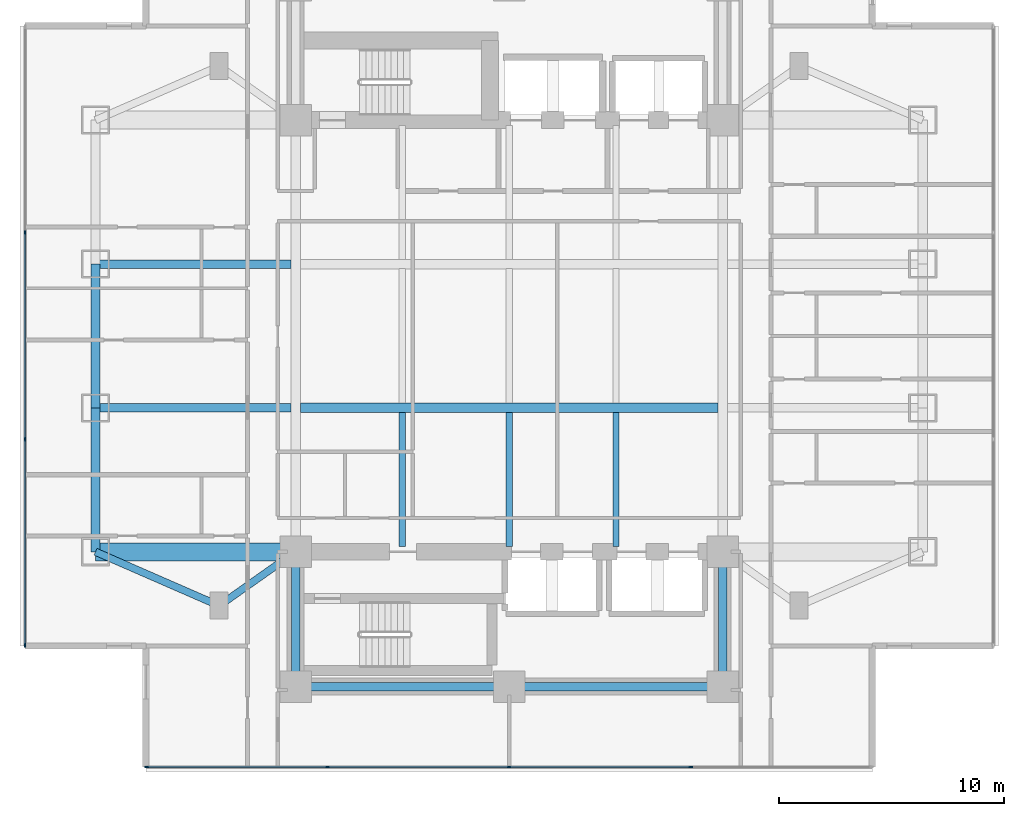
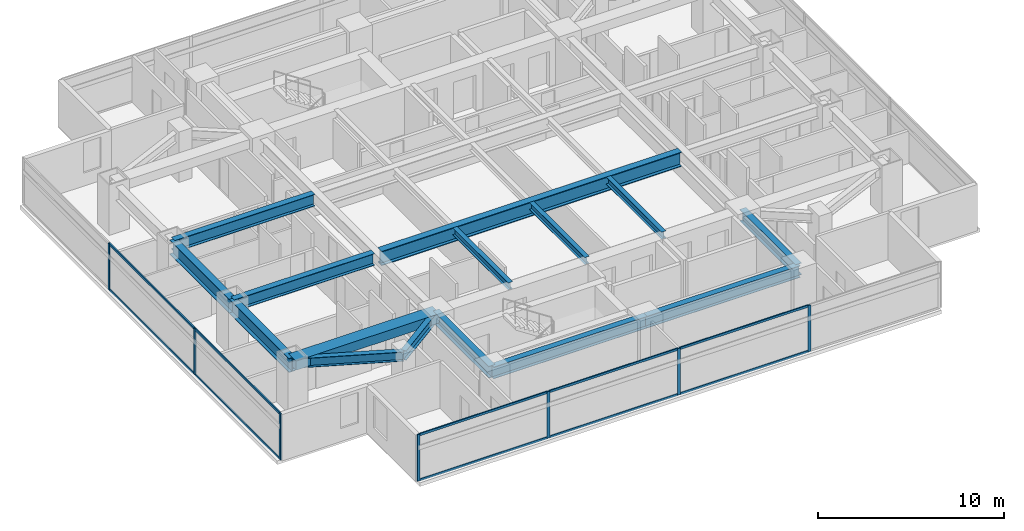
# One storey, part 2 of 23: 17 members, 15 beams, 2 elements without a shape of their own.
"""IFC4 building model written with IfcOpenShell, lengths in metres."""

from ifc_helpers import new_model, si_unit, direction, frame, origin, origin_2d, place, context, subcontext, project, spatial, rectangle, i_section, extrude, material, material_profile, profile_set, type_object, element, aggregate, save


model = new_model("IFC4")

# Units and contexts
model_context = context("Model", 3, precision=1e-05, world=origin(), true_north=direction((0.0, 1.0)))
body_context = subcontext(model_context, "Body", "Model", "MODEL_VIEW")
ifc_project = project(units=[si_unit("LENGTHUNIT", "METRE"), si_unit("AREAUNIT", "SQUARE_METRE"), si_unit("VOLUMEUNIT", "CUBIC_METRE"), si_unit("PLANEANGLEUNIT", "RADIAN"), si_unit("MASSUNIT", "GRAM", prefix="KILO")], contexts=[model_context])

# Site, building, storey
site_placement = place(None, origin())
site = spatial("IfcSite", under=ifc_project, at=site_placement, CompositionType="ELEMENT")
building_placement = place(site_placement, origin())
building = spatial("IfcBuilding", under=site, at=building_placement, Name="Mirazonda Arch Towers", CompositionType="ELEMENT")
storey_placement = place(building_placement, frame((0.0, 0.0, 29.0)))
storey = spatial("IfcBuildingStorey", under=building, at=storey_placement, Name="L07", CompositionType="ELEMENT", Elevation=29.0)

# Beams
ifc_material_1 = material(Name="Steel ASTM A992 Grade 50", Category="steel")
ifc_material_profile_1 = material_profile(ifc_material_1, i_section(OverallWidth=0.41796875, OverallDepth=0.927001953125, WebThickness=0.019287109375, FlangeThickness=0.031982421875, at=origin_2d()), Name="W36X231")
ifc_profile_set_1 = profile_set([ifc_material_profile_1], Name="Steel ASTM A992 Grade 50")
beam_type_1 = type_object("IfcBeamType", Name="BM-EXT-W36X231", PredefinedType="USERDEFINED", material=ifc_profile_set_1)
beam_1_placement = place(storey_placement, frame((2.10009765625, 18.39990234375, 2.596435546875), z_axis=(0.0, 1.0, 0.0), x_axis=(-1.0, 0.0, 0.0)))
element("IfcBeam", 1, at=beam_1_placement, inside=storey, type_object=beam_type_1, Name="L07 Floor Beam BM-T1-L07-NS-W-18", ObjectType="GIRDER", PredefinedType="USERDEFINED", context=body_context, shape_type="SweptSolid", body=[
    extrude(i_section(OverallWidth=0.41796875, OverallDepth=0.927001953125, WebThickness=0.019287109375, FlangeThickness=0.031982421875, at=origin_2d()), origin(), (0.0, 0.0, 1.0), 6.400146484375),
])
beam_2_placement = place(storey_placement, frame((2.10009765625, 24.800048828125, 2.596435546875), z_axis=(0.0, 1.0, 0.0), x_axis=(-1.0, 0.0, 0.0)))
element("IfcBeam", 2, at=beam_2_placement, inside=storey, type_object=beam_type_1, Name="L07 Floor Beam BM-T1-L07-NS-W-24", ObjectType="GIRDER", PredefinedType="USERDEFINED", context=body_context, shape_type="SweptSolid", body=[
    extrude(i_section(OverallWidth=0.41796875, OverallDepth=0.927001953125, WebThickness=0.019287109375, FlangeThickness=0.031982421875, at=origin_2d()), origin(), (0.0, 0.0, 1.0), 6.39990234375),
])
ifc_material_profile_2 = material_profile(ifc_material_1, i_section(OverallWidth=0.280029296875, OverallDepth=0.462890625, WebThickness=0.0107421875, FlangeThickness=0.017333984375, at=origin_2d()), Name="W18X76")
ifc_profile_set_2 = profile_set([ifc_material_profile_2], Name="Steel ASTM A992 Grade 50")
beam_type_2 = type_object("IfcBeamType", Name="BM-INT-W18X76", PredefinedType="JOIST", material=ifc_profile_set_2)
for number, where, z_axis, x_axis, name in (
    (3, (15.75, 18.639892578125, 2.82861328125), (0.0, 1.0, 0.0), (-1.0, 0.0, 0.0), "L07 Floor Beam BM-T1-L07-J-157-18"),
    (4, (20.5, 18.639892578125, 2.82861328125), (0.0, 1.0, 0.0), (-1.0, 0.0, 0.0), "L07 Floor Beam BM-T1-L07-J-205-18"),
    (5, (25.25, 18.639892578125, 2.82861328125), (0.0, 1.0, 0.0), (-1.0, 0.0, 0.0), "L07 Floor Beam BM-T1-L07-J-252-18"),
):
    element("IfcBeam", number, at=place(storey_placement, frame(where, z_axis=z_axis, x_axis=x_axis)), inside=storey, type_object=beam_type_2, Name=name, PredefinedType="JOIST", context=body_context, shape_type="SweptSolid", body=[
        extrude(i_section(OverallWidth=0.280029296875, OverallDepth=0.462890625, WebThickness=0.0107421875, FlangeThickness=0.017333984375, at=origin_2d()), origin(), (0.0, 0.0, 1.0), 5.95263671875),
    ])
ifc_material_profile_3 = material_profile(ifc_material_1, i_section(OverallWidth=0.324951171875, OverallDepth=0.615966796875, WebThickness=0.013916015625, FlangeThickness=0.021484375, at=origin_2d()), Name="W24X117")
ifc_profile_set_3 = profile_set([ifc_material_profile_3], Name="Steel ASTM A992 Grade 50")
beam_type_3 = type_object("IfcBeamType", Name="BM-INT-W24X117", PredefinedType="BEAM", material=ifc_profile_set_3)
beam_3_placement = place(storey_placement, frame((7.60009765625, 16.0, 2.751953125), z_axis=(0.816971114901, 0.576678591087, 0.0), x_axis=(-0.576678591087, 0.816971114901, 0.0)))
element("IfcBeam", 6, at=beam_3_placement, inside=storey, type_object=beam_type_3, Name="L07 Floor Beam BM-T1-L07-PL-SW1", PredefinedType="BEAM", context=body_context, shape_type="SweptSolid", body=[
    extrude(i_section(OverallWidth=0.324951171875, OverallDepth=0.615966796875, WebThickness=0.013916015625, FlangeThickness=0.021484375, at=origin_2d()), origin(), (0.0, 0.0, 1.0), 4.16162109375),
])
beam_4_placement = place(storey_placement, frame((7.60009765625, 16.0, 2.751953125), z_axis=(-0.916545343703, 0.399930785183, 0.0), x_axis=(-0.399930785183, -0.916545343703, 0.0)))
element("IfcBeam", 7, at=beam_4_placement, inside=storey, type_object=beam_type_3, Name="L07 Floor Beam BM-T1-L07-PL-SW2", PredefinedType="BEAM", context=body_context, shape_type="SweptSolid", body=[
    extrude(i_section(OverallWidth=0.324951171875, OverallDepth=0.615966796875, WebThickness=0.013916015625, FlangeThickness=0.021484375, at=origin_2d()), origin(), (0.0, 0.0, 1.0), 6.000732421875),
])
ifc_material_profile_4 = material_profile(ifc_material_1, i_section(OverallWidth=0.381103515625, OverallDepth=0.77294921875, WebThickness=0.0166015625, FlangeThickness=0.027099609375, at=origin_2d()), Name="W30X173")
ifc_profile_set_4 = profile_set([ifc_material_profile_4], Name="Steel ASTM A992 Grade 50")
beam_type_4 = type_object("IfcBeamType", Name="BM-INT-W30X173", PredefinedType="USERDEFINED", material=ifc_profile_set_4)
for number, where, z_axis, x_axis, name in (
    (8, (2.10009765625, 24.800048828125, 2.673583984375), (1.0, 0.0, 0.0), (0.0, 1.0, 0.0), "L07 Floor Beam BM-T1-L07-GW2"),
    (9, (2.10009765625, 31.199951171875, 2.673583984375), (1.0, 0.0, 0.0), (0.0, 1.0, 0.0), "L07 Floor Beam BM-T1-L07-GW3"),
):
    element("IfcBeam", number, at=place(storey_placement, frame(where, z_axis=z_axis, x_axis=x_axis)), inside=storey, type_object=beam_type_4, Name=name, ObjectType="GIRDER", PredefinedType="USERDEFINED", context=body_context, shape_type="SweptSolid", body=[
        extrude(i_section(OverallWidth=0.381103515625, OverallDepth=0.77294921875, WebThickness=0.0166015625, FlangeThickness=0.027099609375, at=origin_2d()), origin(), (0.0, 0.0, 1.0), 8.6884765625),
    ])
for number, where, z_axis, x_axis, name in (
    (10, (11.0, 12.39990234375, 2.673583984375), (1.0, 0.0, 0.0), (0.0, 1.0, 0.0), "L07 Floor Beam BM-T1-L07-CS1"),
    (11, (20.5, 12.39990234375, 2.673583984375), (1.0, 0.0, 0.0), (0.0, 1.0, 0.0), "L07 Floor Beam BM-T1-L07-CS2"),
):
    element("IfcBeam", number, at=place(storey_placement, frame(where, z_axis=z_axis, x_axis=x_axis)), inside=storey, type_object=beam_type_4, Name=name, ObjectType="GIRDER", PredefinedType="USERDEFINED", context=body_context, shape_type="SweptSolid", body=[
        extrude(i_section(OverallWidth=0.381103515625, OverallDepth=0.77294921875, WebThickness=0.0166015625, FlangeThickness=0.027099609375, at=origin_2d()), origin(), (0.0, 0.0, 1.0), 9.5),
    ])
for number, where, z_axis, x_axis, name in (
    (12, (11.0, 12.39990234375, 2.673583984375), (0.0, 1.0, 0.0), (-1.0, 0.0, 0.0), "L07 Floor Beam BM-T1-L07-CSW"),
    (13, (30.0, 12.39990234375, 2.673583984375), (0.0, 1.0, 0.0), (-1.0, 0.0, 0.0), "L07 Floor Beam BM-T1-L07-CSE"),
):
    element("IfcBeam", number, at=place(storey_placement, frame(where, z_axis=z_axis, x_axis=x_axis)), inside=storey, type_object=beam_type_4, Name=name, ObjectType="GIRDER", PredefinedType="USERDEFINED", context=body_context, shape_type="SweptSolid", body=[
        extrude(i_section(OverallWidth=0.381103515625, OverallDepth=0.77294921875, WebThickness=0.0166015625, FlangeThickness=0.027099609375, at=origin_2d()), origin(), (0.0, 0.0, 1.0), 6.0),
    ])
ifc_material_profile_5 = material_profile(ifc_material_1, i_section(OverallWidth=0.423095703125, OverallDepth=0.947998046875, WebThickness=0.02392578125, FlangeThickness=0.042724609375, at=origin_2d()), Name="W36X302")
ifc_profile_set_5 = profile_set([ifc_material_profile_5], Name="Steel ASTM A992 Grade 50")
beam_type_5 = type_object("IfcBeamType", Name="BM-INT-W36X302", PredefinedType="USERDEFINED", material=ifc_profile_set_5)
beam_5_placement = place(storey_placement, frame((11.21142578125, 24.800048828125, 2.5859375), z_axis=(1.0, 0.0, 0.0), x_axis=(0.0, 1.0, 0.0)))
element("IfcBeam", 14, at=beam_5_placement, inside=storey, type_object=beam_type_5, Name="L07 Floor Beam BM-T1-L07-GC2", ObjectType="GIRDER", PredefinedType="USERDEFINED", context=body_context, shape_type="SweptSolid", body=[
    extrude(i_section(OverallWidth=0.423095703125, OverallDepth=0.947998046875, WebThickness=0.02392578125, FlangeThickness=0.042724609375, at=origin_2d()), origin(), (0.0, 0.0, 1.0), 18.5771484375),
])
ifc_material_2 = material(Name="Concrete C60/75", Category="concrete")
ifc_material_profile_6 = material_profile(ifc_material_2, rectangle(XDim=0.800048828125, YDim=0.60009765625, at=origin_2d()), Name="RCCB800x600")
ifc_profile_set_6 = profile_set([ifc_material_profile_6], Name="Concrete C60/75")
beam_type_6 = type_object("IfcBeamType", Name="CB-INT-RCCB800x600", PredefinedType="SPANDREL", material=ifc_profile_set_6)
beam_6_placement = place(storey_placement, frame((2.10009765625, 18.39990234375, 2.760009765625), z_axis=(1.0, 0.0, 0.0), x_axis=(0.0, 1.0, 0.0)))
element("IfcBeam", 15, at=beam_6_placement, inside=storey, type_object=beam_type_6, Name="L07 Floor Beam CBC-T1-L07-SW", PredefinedType="SPANDREL", context=body_context, shape_type="SweptSolid", body=[
    extrude(rectangle(XDim=0.800048828125, YDim=0.60009765625, at=origin_2d()), origin(), (0.0, 0.0, 1.0), 8.89990234375),
])

# Curtain wall, members
ifc_material_3 = material(Name="Anodised Aluminium and Low-E Glass", Category="aluminium")
curtain_wall_type = type_object("IfcCurtainWallType", Name="CW-HTL-UNIT", PredefinedType="NOTDEFINED", material=ifc_material_3)
curtain_wall_1_placement = place(storey_placement, origin())
curtain_wall_1 = element("IfcCurtainWall", 16, at=curtain_wall_1_placement, inside=storey, type_object=curtain_wall_type, Name="L07 T1 S Facade CW-L07-T1-S", PredefinedType="NOTDEFINED")
ifc_material_4 = material(Name="Anodised Aluminium Alloy", Category="aluminium")
ifc_material_profile_7 = material_profile(ifc_material_4, rectangle(XDim=0.074951171875, YDim=0.1650390625, at=origin_2d()), Name="ALU-MULL-75x165")
ifc_profile_set_7 = profile_set([ifc_material_profile_7], Name="Anodised Aluminium Alloy")
member_type_1 = type_object("IfcMemberType", Name="MULL-CW-HTL-UNIT", PredefinedType="MULLION", material=ifc_profile_set_7)
member_1_placement = place(storey_placement, frame((28.580078125, 8.823974609375, 0.0), z_axis=(0.0, 0.0, 1.0), x_axis=(0.0, -1.0, 0.0)))
member_1 = element("IfcMember", 17, at=member_1_placement, type_object=member_type_1, Name="CW-112 mullion 2", PredefinedType="MULLION", context=body_context, shape_type="SweptSolid", body=[
    extrude(rectangle(XDim=0.074951171875, YDim=0.1650390625, at=origin_2d()), origin(), (0.0, 0.0, 1.0), 3.0400390625),
])
member_2_placement = place(storey_placement, frame((20.5, 8.823974609375, 0.0), z_axis=(0.0, 0.0, 1.0), x_axis=(0.0, -1.0, 0.0)))
member_2 = element("IfcMember", 18, at=member_2_placement, type_object=member_type_1, Name="CW-112 mullion 3", PredefinedType="MULLION", context=body_context, shape_type="SweptSolid", body=[
    extrude(rectangle(XDim=0.074951171875, YDim=0.1650390625, at=origin_2d()), origin(), (0.0, 0.0, 1.0), 3.0400390625),
])
member_3_placement = place(storey_placement, frame((12.419921875, 8.823974609375, 0.0), z_axis=(0.0, 0.0, 1.0), x_axis=(0.0, -1.0, 0.0)))
member_3 = element("IfcMember", 19, at=member_3_placement, type_object=member_type_1, Name="CW-112 mullion 4", PredefinedType="MULLION", context=body_context, shape_type="SweptSolid", body=[
    extrude(rectangle(XDim=0.074951171875, YDim=0.1650390625, at=origin_2d()), origin(), (0.0, 0.0, 1.0), 3.0400390625),
])
member_4_placement = place(storey_placement, frame((4.37744140625, 8.823974609375, 0.0), z_axis=(0.0, 0.0, 1.0), x_axis=(0.0, -1.0, 0.0)))
member_4 = element("IfcMember", 20, at=member_4_placement, type_object=member_type_1, Name="CW-112 mullion 5", PredefinedType="MULLION", context=body_context, shape_type="SweptSolid", body=[
    extrude(rectangle(XDim=0.074951171875, YDim=0.1650390625, at=origin_2d()), origin(), (0.0, 0.0, 1.0), 3.0400390625),
])

curtain_wall_2_placement = place(storey_placement, origin())
curtain_wall_2 = element("IfcCurtainWall", 21, at=curtain_wall_2_placement, inside=storey, type_object=curtain_wall_type, Name="L07 T1 W Facade CW-L07-T1-W", PredefinedType="NOTDEFINED")
member_5_placement = place(storey_placement, frame((-1.0400390625, 32.5986328125, 0.0), z_axis=(0.0, 0.0, 1.0), x_axis=(1.0, 0.0, 0.0)))
member_5 = element("IfcMember", 22, at=member_5_placement, type_object=member_type_1, Name="CW-112 mullion 2", PredefinedType="MULLION", context=body_context, shape_type="SweptSolid", body=[
    extrude(rectangle(XDim=0.074951171875, YDim=0.1650390625, at=origin_2d()), origin(), (0.0, 0.0, 1.0), 3.0400390625),
])
member_6_placement = place(storey_placement, frame((-1.0400390625, 23.4013671875, 0.0), z_axis=(0.0, 0.0, 1.0), x_axis=(1.0, 0.0, 0.0)))
member_6 = element("IfcMember", 23, at=member_6_placement, type_object=member_type_1, Name="CW-112 mullion 3", PredefinedType="MULLION", context=body_context, shape_type="SweptSolid", body=[
    extrude(rectangle(XDim=0.074951171875, YDim=0.1650390625, at=origin_2d()), origin(), (0.0, 0.0, 1.0), 3.0400390625),
])
member_7_placement = place(storey_placement, frame((-1.0400390625, 14.241455078125, 0.0), z_axis=(0.0, 0.0, 1.0), x_axis=(1.0, 0.0, 0.0)))
member_7 = element("IfcMember", 24, at=member_7_placement, type_object=member_type_1, Name="CW-112 mullion 4", PredefinedType="MULLION", context=body_context, shape_type="SweptSolid", body=[
    extrude(rectangle(XDim=0.074951171875, YDim=0.1650390625, at=origin_2d()), origin(), (0.0, 0.0, 1.0), 3.0400390625),
])

# Member
ifc_material_profile_8 = material_profile(ifc_material_4, rectangle(XDim=0.074951171875, YDim=0.14501953125, at=origin_2d()), Name="ALU-TRAN-75x145")
ifc_profile_set_8 = profile_set([ifc_material_profile_8], Name="Anodised Aluminium Alloy")
member_type_2 = type_object("IfcMemberType", Name="TRAN-CW-HTL-UNIT", PredefinedType="USERDEFINED", material=ifc_profile_set_8)
member_8_placement = place(storey_placement, frame((28.54248046875, 8.823974609375, 0.03759765625), z_axis=(-1.0, 0.0, 0.0), x_axis=(0.0, -1.0, 0.0)))
member_8 = element("IfcMember", 25, at=member_8_placement, type_object=member_type_2, Name="CW-112 transom 2.1", ObjectType="TRANSOM", PredefinedType="USERDEFINED", context=body_context, shape_type="SweptSolid", body=[
    extrude(rectangle(XDim=0.074951171875, YDim=0.14501953125, at=origin_2d()), origin(), (0.0, 0.0, 1.0), 8.0048828125),
])

member_9_placement = place(storey_placement, frame((28.54248046875, 8.823974609375, 3.00244140625), z_axis=(-1.0, 0.0, 0.0), x_axis=(0.0, -1.0, 0.0)))
member_9 = element("IfcMember", 26, at=member_9_placement, type_object=member_type_2, Name="CW-112 transom 2.2", ObjectType="TRANSOM", PredefinedType="USERDEFINED", context=body_context, shape_type="SweptSolid", body=[
    extrude(rectangle(XDim=0.074951171875, YDim=0.14501953125, at=origin_2d()), origin(), (0.0, 0.0, 1.0), 8.0048828125),
])

member_10_placement = place(storey_placement, frame((20.46240234375, 8.823974609375, 0.03759765625), z_axis=(-1.0, 0.0, 0.0), x_axis=(0.0, -1.0, 0.0)))
member_10 = element("IfcMember", 27, at=member_10_placement, type_object=member_type_2, Name="CW-112 transom 3.1", ObjectType="TRANSOM", PredefinedType="USERDEFINED", context=body_context, shape_type="SweptSolid", body=[
    extrude(rectangle(XDim=0.074951171875, YDim=0.14501953125, at=origin_2d()), origin(), (0.0, 0.0, 1.0), 8.0048828125),
])

member_11_placement = place(storey_placement, frame((20.46240234375, 8.823974609375, 3.00244140625), z_axis=(-1.0, 0.0, 0.0), x_axis=(0.0, -1.0, 0.0)))
member_11 = element("IfcMember", 28, at=member_11_placement, type_object=member_type_2, Name="CW-112 transom 3.2", ObjectType="TRANSOM", PredefinedType="USERDEFINED", context=body_context, shape_type="SweptSolid", body=[
    extrude(rectangle(XDim=0.074951171875, YDim=0.14501953125, at=origin_2d()), origin(), (0.0, 0.0, 1.0), 8.0048828125),
])

member_12_placement = place(storey_placement, frame((12.382568359375, 8.823974609375, 0.03759765625), z_axis=(-1.0, 0.0, 0.0), x_axis=(0.0, -1.0, 0.0)))
member_12 = element("IfcMember", 29, at=member_12_placement, type_object=member_type_2, Name="CW-112 transom 4.1", ObjectType="TRANSOM", PredefinedType="USERDEFINED", context=body_context, shape_type="SweptSolid", body=[
    extrude(rectangle(XDim=0.074951171875, YDim=0.14501953125, at=origin_2d()), origin(), (0.0, 0.0, 1.0), 7.967529296875),
])

member_13_placement = place(storey_placement, frame((12.382568359375, 8.823974609375, 3.00244140625), z_axis=(-1.0, 0.0, 0.0), x_axis=(0.0, -1.0, 0.0)))
member_13 = element("IfcMember", 30, at=member_13_placement, type_object=member_type_2, Name="CW-112 transom 4.2", ObjectType="TRANSOM", PredefinedType="USERDEFINED", context=body_context, shape_type="SweptSolid", body=[
    extrude(rectangle(XDim=0.074951171875, YDim=0.14501953125, at=origin_2d()), origin(), (0.0, 0.0, 1.0), 7.967529296875),
])

aggregate(curtain_wall_1, [member_1, member_2, member_3, member_4, member_8, member_9, member_10, member_11, member_12, member_13])

member_14_placement = place(storey_placement, frame((-1.0400390625, 32.561279296875, 0.03759765625), z_axis=(0.0, -1.0, 0.0), x_axis=(1.0, 0.0, 0.0)))
member_14 = element("IfcMember", 31, at=member_14_placement, type_object=member_type_2, Name="CW-112 transom 2.1", ObjectType="TRANSOM", PredefinedType="USERDEFINED", context=body_context, shape_type="SweptSolid", body=[
    extrude(rectangle(XDim=0.074951171875, YDim=0.14501953125, at=origin_2d()), origin(), (0.0, 0.0, 1.0), 9.12255859375),
])

member_15_placement = place(storey_placement, frame((-1.0400390625, 32.561279296875, 3.00244140625), z_axis=(0.0, -1.0, 0.0), x_axis=(1.0, 0.0, 0.0)))
member_15 = element("IfcMember", 32, at=member_15_placement, type_object=member_type_2, Name="CW-112 transom 2.2", ObjectType="TRANSOM", PredefinedType="USERDEFINED", context=body_context, shape_type="SweptSolid", body=[
    extrude(rectangle(XDim=0.074951171875, YDim=0.14501953125, at=origin_2d()), origin(), (0.0, 0.0, 1.0), 9.12255859375),
])

member_16_placement = place(storey_placement, frame((-1.0400390625, 23.36376953125, 0.03759765625), z_axis=(0.0, -1.0, 0.0), x_axis=(1.0, 0.0, 0.0)))
member_16 = element("IfcMember", 33, at=member_16_placement, type_object=member_type_2, Name="CW-112 transom 3.1", ObjectType="TRANSOM", PredefinedType="USERDEFINED", context=body_context, shape_type="SweptSolid", body=[
    extrude(rectangle(XDim=0.074951171875, YDim=0.14501953125, at=origin_2d()), origin(), (0.0, 0.0, 1.0), 9.084716796875),
])

member_17_placement = place(storey_placement, frame((-1.0400390625, 23.36376953125, 3.00244140625), z_axis=(0.0, -1.0, 0.0), x_axis=(1.0, 0.0, 0.0)))
member_17 = element("IfcMember", 34, at=member_17_placement, type_object=member_type_2, Name="CW-112 transom 3.2", ObjectType="TRANSOM", PredefinedType="USERDEFINED", context=body_context, shape_type="SweptSolid", body=[
    extrude(rectangle(XDim=0.074951171875, YDim=0.14501953125, at=origin_2d()), origin(), (0.0, 0.0, 1.0), 9.084716796875),
])

aggregate(curtain_wall_2, [member_5, member_6, member_7, member_14, member_15, member_16, member_17])

save(model, "model.ifc")
